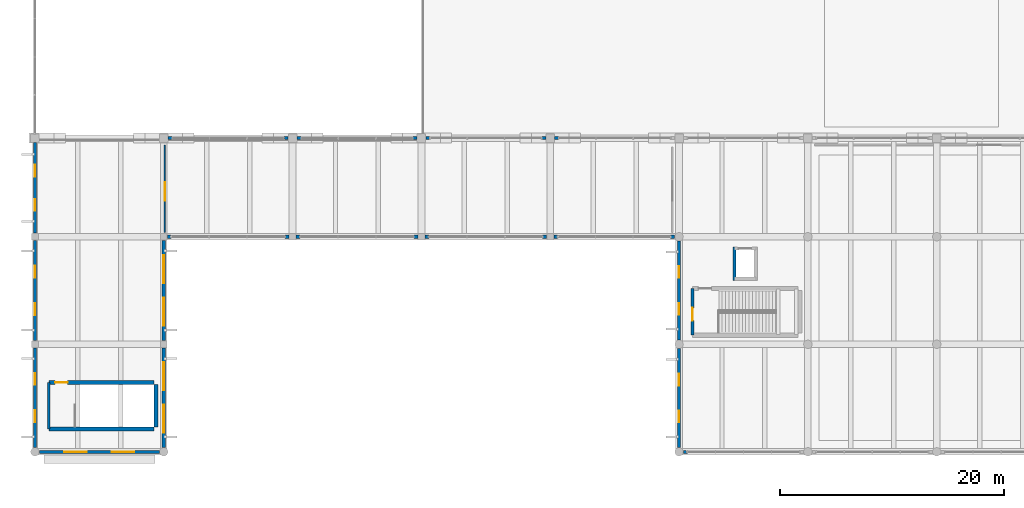
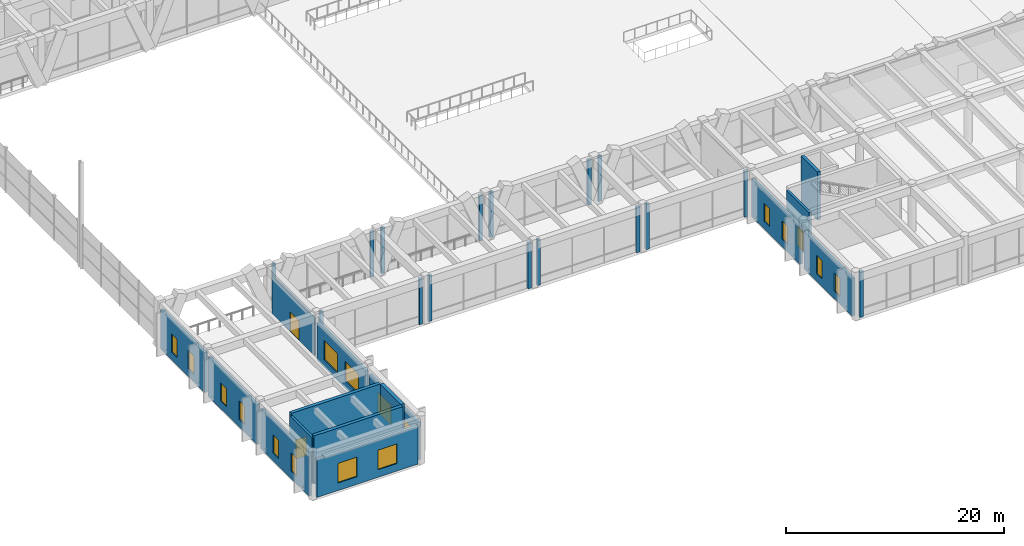
# One storey, part 124 of 148: 31 walls, 16 windows, 3 doors, 19 openings.
"""IFC4 building model written with IfcOpenShell, lengths in metres."""

from ifc_helpers import new_model, si_unit, direction, frame, frame_2d, origin, place, context, subcontext, project, spatial, rectangle, extrude, material, layer, layer_set, type_object, element, fill, save


model = new_model("IFC4")

# Units and contexts
model_context = context("Model", 3, precision=1e-05, world=origin(), true_north=direction((0.0, 1.0)))
body_context = subcontext(model_context, "Body", "Model", "MODEL_VIEW")
ifc_project = project(units=[si_unit("LENGTHUNIT", "METRE"), si_unit("AREAUNIT", "SQUARE_METRE"), si_unit("VOLUMEUNIT", "CUBIC_METRE"), si_unit("PLANEANGLEUNIT", "RADIAN"), si_unit("MASSUNIT", "GRAM", prefix="KILO")], contexts=[model_context])

# Site, building, storey
site_placement = place(None, origin())
site = spatial("IfcSite", under=ifc_project, at=site_placement, CompositionType="ELEMENT")
building_placement = place(site_placement, origin())
building = spatial("IfcBuilding", under=site, at=building_placement, Name="Ologun Quay Terminus", CompositionType="ELEMENT")
storey_placement = place(building_placement, frame((0.0, 0.0, 8.39990234375)))
storey = spatial("IfcBuildingStorey", under=building, at=storey_placement, Name="L02", CompositionType="ELEMENT", Elevation=8.39990234375)

# Wall, opening, door
ifc_material_1 = material(Name="Gypsum Acoustic Stud")
ifc_layer_1 = layer(ifc_material_1, 0.14990234375)
ifc_layer_set_1 = layer_set([ifc_layer_1], Name="Gypsum Acoustic Stud")
wall_type_1 = type_object("IfcWallType", Name="Community & Reading Room Partition 150", PredefinedType="PARTITIONING", material=ifc_layer_set_1)
wall_1_placement = place(storey_placement, frame((11.60009765625, 27.60009765625, 0.0), z_axis=(0.0, 0.0, 1.0), x_axis=(0.0, 1.0, 0.0)))
wall_1 = element("IfcWall", 1, at=wall_1_placement, inside=storey, type_object=wall_type_1, Name="PW-05 Partition L02-PrayerRoom-E", PredefinedType="PARTITIONING", context=body_context, shape_type="SweptSolid", body=[
    extrude(rectangle(XDim=7.7998046875, YDim=0.14990234375, at=frame_2d((3.89990234375, 0.0))), origin(), (0.0, 0.0, 1.0), 4.25),
])
opening_1_placement = place(wall_1_placement, frame((2.800048828125, 0.0, 0.0)))
opening_1 = element("IfcOpeningElement", 2, at=opening_1_placement, cuts=wall_1, Name="Opening ID-315", PredefinedType="OPENING", context=body_context, shape_type="SweptSolid", body=[
    extrude(rectangle(XDim=1.64990234375, YDim=2.199951171875, at=frame_2d((0.824951171875, 1.10009765625))), frame((0.0, 0.0849609375, 0.0), z_axis=(0.0, -1.0, 0.0), x_axis=(1.0, 0.0, 0.0)), (0.0, 0.0, 1.0), 0.169921875),
])
ifc_material_2 = material(Name="Timber Hardwood", Category="wood")
door_type_1 = type_object("IfcDoorType", Name="Community Meeting Double Door 1650x2200", OperationType="DOUBLE_DOOR_SINGLE_SWING", PredefinedType="DOOR", material=ifc_material_2)
door_1_placement = place(opening_1_placement, origin())
door_1 = element("IfcDoor", 3, at=door_1_placement, inside=storey, type_object=door_type_1, Name="ID-03 Door ID-315", OperationType="DOUBLE_DOOR_SINGLE_SWING", OverallHeight=2.199951171875, OverallWidth=1.64990234375, PredefinedType="DOOR", context=body_context, shape_type="SweptSolid", body=[
    extrude(rectangle(XDim=1.64990234375, YDim=2.199951171875, at=frame_2d((0.824951171875, 1.10009765625))), frame((0.0, 0.02490234375, 0.0), z_axis=(0.0, -1.0, 0.0), x_axis=(1.0, 0.0, 0.0)), (0.0, 0.0, 1.0), 0.050048828125),
])
fill(opening_1, door_1)

# Wall, openings, windows
ifc_material_3 = material(Name="Concrete C40/50", Category="concrete")
ifc_layer_2 = layer(ifc_material_3, 0.280029296875)
ifc_layer_set_2 = layer_set([ifc_layer_2], Name="Concrete C40/50")
wall_type_2 = type_object("IfcWallType", Name="Courtyard Wing Spandrel Concrete Wall 280", PredefinedType="SOLIDWALL", material=ifc_layer_set_2)
wall_2_placement = place(storey_placement, frame((0.39501953125, 8.0, 0.0), z_axis=(0.0, 0.0, 1.0), x_axis=(1.0, 0.0, 0.0)))
wall_2 = element("IfcWall", 4, at=wall_2_placement, inside=storey, type_object=wall_type_2, Name="EW-02 Facade Wall WEW-SA-L02-1-1", PredefinedType="SOLIDWALL", context=body_context, shape_type="SweptSolid", body=[
    extrude(rectangle(XDim=10.7099609375, YDim=0.280029296875, at=frame_2d((5.35498046875, 0.0))), origin(), (0.0, 0.0, 1.0), 4.25),
])
opening_2_placement = place(wall_2_placement, frame((2.23681640625, 0.0, 0.85009765625)))
opening_2 = element("IfcOpeningElement", 5, at=opening_2_placement, cuts=wall_2, Name="Opening WN-061", PredefinedType="OPENING", context=body_context, shape_type="SweptSolid", body=[
    extrude(rectangle(XDim=2.0, YDim=2.199951171875, at=frame_2d((1.0, 1.10009765625))), frame((0.0, 0.14990234375, 0.0), z_axis=(0.0, -1.0, 0.0), x_axis=(1.0, 0.0, 0.0)), (0.0, 0.0, 1.0), 0.300048828125),
])
opening_3_placement = place(wall_2_placement, frame((6.473388671875, 0.0, 0.85009765625)))
opening_3 = element("IfcOpeningElement", 6, at=opening_3_placement, cuts=wall_2, Name="Opening WN-062", PredefinedType="OPENING", context=body_context, shape_type="SweptSolid", body=[
    extrude(rectangle(XDim=2.0, YDim=2.199951171875, at=frame_2d((1.0, 1.10009765625))), frame((0.0, 0.14990234375, 0.0), z_axis=(0.0, -1.0, 0.0), x_axis=(1.0, 0.0, 0.0)), (0.0, 0.0, 1.0), 0.300048828125),
])
ifc_material_4 = material(Name="Glass", Category="glass")
window_type_1 = type_object("IfcWindowType", Name="VIP Lounge Harbour Window 2000x2200", PartitioningType="SINGLE_PANEL", PredefinedType="WINDOW", material=ifc_material_4)
window_1_placement = place(opening_2_placement, origin())
window_1 = element("IfcWindow", 7, at=window_1_placement, inside=storey, type_object=window_type_1, Name="W-08 Window WN-061", OverallHeight=2.199951171875, OverallWidth=2.0, PartitioningType="SINGLE_PANEL", PredefinedType="WINDOW", context=body_context, shape_type="SweptSolid", body=[
    extrude(rectangle(XDim=2.0, YDim=2.199951171875, at=frame_2d((1.0, 1.10009765625))), frame((0.0, 0.030029296875, 0.0), z_axis=(0.0, -1.0, 0.0), x_axis=(1.0, 0.0, 0.0)), (0.0, 0.0, 1.0), 0.06005859375),
])
fill(opening_2, window_1)
window_2_placement = place(opening_3_placement, origin())
window_2 = element("IfcWindow", 8, at=window_2_placement, inside=storey, type_object=window_type_1, Name="W-08 Window WN-062", OverallHeight=2.199951171875, OverallWidth=2.0, PartitioningType="SINGLE_PANEL", PredefinedType="WINDOW", context=body_context, shape_type="SweptSolid", body=[
    extrude(rectangle(XDim=2.0, YDim=2.199951171875, at=frame_2d((1.0, 1.10009765625))), frame((0.0, 0.030029296875, 0.0), z_axis=(0.0, -1.0, 0.0), x_axis=(1.0, 0.0, 0.0)), (0.0, 0.0, 1.0), 0.06005859375),
])
fill(opening_3, window_2)

wall_3_placement = place(storey_placement, frame((11.5, 8.39501953125, 0.0), z_axis=(0.0, 0.0, 1.0), x_axis=(0.0, 1.0, 0.0)))
wall_3 = element("IfcWall", 9, at=wall_3_placement, inside=storey, type_object=wall_type_2, Name="EW-02 Facade Wall WEW-SA-L02-1-2", PredefinedType="SOLIDWALL", context=body_context, shape_type="SweptSolid", body=[
    extrude(rectangle(XDim=8.885009765625, YDim=0.280029296875, at=frame_2d((4.4423828125, 0.0))), origin(), (0.0, 0.0, 1.0), 4.25),
])
opening_4_placement = place(wall_3_placement, frame((1.294921875, 0.0, 0.85009765625)))
opening_4 = element("IfcOpeningElement", 10, at=opening_4_placement, cuts=wall_3, Name="Opening WN-063", PredefinedType="OPENING", context=body_context, shape_type="SweptSolid", body=[
    extrude(rectangle(XDim=2.5, YDim=2.199951171875, at=frame_2d((1.25, 1.10009765625))), frame((0.0, 0.14990234375, 0.0), z_axis=(0.0, -1.0, 0.0), x_axis=(1.0, 0.0, 0.0)), (0.0, 0.0, 1.0), 0.300048828125),
])
opening_5_placement = place(wall_3_placement, frame((5.090087890625, 0.0, 0.85009765625)))
opening_5 = element("IfcOpeningElement", 11, at=opening_5_placement, cuts=wall_3, Name="Opening WN-064", PredefinedType="OPENING", context=body_context, shape_type="SweptSolid", body=[
    extrude(rectangle(XDim=2.5, YDim=2.199951171875, at=frame_2d((1.25, 1.10009765625))), frame((0.0, 0.14990234375, 0.0), z_axis=(0.0, -1.0, 0.0), x_axis=(1.0, 0.0, 0.0)), (0.0, 0.0, 1.0), 0.300048828125),
])
ifc_material_5 = material(Name="Glass", Category="glass")
window_type_2 = type_object("IfcWindowType", Name="Concourse Waiting Window 2500x2200", PartitioningType="SINGLE_PANEL", PredefinedType="WINDOW", material=ifc_material_5)
window_3_placement = place(opening_4_placement, origin())
window_3 = element("IfcWindow", 12, at=window_3_placement, inside=storey, type_object=window_type_2, Name="W-07 Window WN-063", OverallHeight=2.199951171875, OverallWidth=2.5, PartitioningType="SINGLE_PANEL", PredefinedType="WINDOW", context=body_context, shape_type="SweptSolid", body=[
    extrude(rectangle(XDim=2.5, YDim=2.199951171875, at=frame_2d((1.25, 1.10009765625))), frame((0.0, 0.030029296875, 0.0), z_axis=(0.0, -1.0, 0.0), x_axis=(1.0, 0.0, 0.0)), (0.0, 0.0, 1.0), 0.06005859375),
])
fill(opening_4, window_3)
window_4_placement = place(opening_5_placement, origin())
window_4 = element("IfcWindow", 13, at=window_4_placement, inside=storey, type_object=window_type_2, Name="W-07 Window WN-064", OverallHeight=2.199951171875, OverallWidth=2.5, PartitioningType="SINGLE_PANEL", PredefinedType="WINDOW", context=body_context, shape_type="SweptSolid", body=[
    extrude(rectangle(XDim=2.5, YDim=2.199951171875, at=frame_2d((1.25, 1.10009765625))), frame((0.0, 0.030029296875, 0.0), z_axis=(0.0, -1.0, 0.0), x_axis=(1.0, 0.0, 0.0)), (0.0, 0.0, 1.0), 0.06005859375),
])
fill(opening_5, window_4)

wall_4_placement = place(storey_placement, frame((11.5, 17.919921875, 0.0), z_axis=(0.0, 0.0, 1.0), x_axis=(0.0, 1.0, 0.0)))
wall_4 = element("IfcWall", 14, at=wall_4_placement, inside=storey, type_object=wall_type_2, Name="EW-02 Facade Wall WEW-SA-L02-1-3", PredefinedType="SOLIDWALL", context=body_context, shape_type="SweptSolid", body=[
    extrude(rectangle(XDim=8.9599609375, YDim=0.280029296875, at=frame_2d((4.47998046875, 0.0))), origin(), (0.0, 0.0, 1.0), 4.25),
])
opening_6_placement = place(wall_4_placement, frame((1.320068359375, 0.0, 0.85009765625)))
opening_6 = element("IfcOpeningElement", 15, at=opening_6_placement, cuts=wall_4, Name="Opening WN-065", PredefinedType="OPENING", context=body_context, shape_type="SweptSolid", body=[
    extrude(rectangle(XDim=2.5, YDim=2.199951171875, at=frame_2d((1.25, 1.10009765625))), frame((0.0, 0.14990234375, 0.0), z_axis=(0.0, -1.0, 0.0), x_axis=(1.0, 0.0, 0.0)), (0.0, 0.0, 1.0), 0.300048828125),
])
opening_7_placement = place(wall_4_placement, frame((5.139892578125, 0.0, 0.85009765625)))
opening_7 = element("IfcOpeningElement", 16, at=opening_7_placement, cuts=wall_4, Name="Opening WN-066", PredefinedType="OPENING", context=body_context, shape_type="SweptSolid", body=[
    extrude(rectangle(XDim=2.5, YDim=2.199951171875, at=frame_2d((1.25, 1.10009765625))), frame((0.0, 0.14990234375, 0.0), z_axis=(0.0, -1.0, 0.0), x_axis=(1.0, 0.0, 0.0)), (0.0, 0.0, 1.0), 0.300048828125),
])
window_5_placement = place(opening_6_placement, origin())
window_5 = element("IfcWindow", 17, at=window_5_placement, inside=storey, type_object=window_type_2, Name="W-07 Window WN-065", OverallHeight=2.199951171875, OverallWidth=2.5, PartitioningType="SINGLE_PANEL", PredefinedType="WINDOW", context=body_context, shape_type="SweptSolid", body=[
    extrude(rectangle(XDim=2.5, YDim=2.199951171875, at=frame_2d((1.25, 1.10009765625))), frame((0.0, 0.030029296875, 0.0), z_axis=(0.0, -1.0, 0.0), x_axis=(1.0, 0.0, 0.0)), (0.0, 0.0, 1.0), 0.06005859375),
])
fill(opening_6, window_5)
window_6_placement = place(opening_7_placement, origin())
window_6 = element("IfcWindow", 18, at=window_6_placement, inside=storey, type_object=window_type_2, Name="W-07 Window WN-066", OverallHeight=2.199951171875, OverallWidth=2.5, PartitioningType="SINGLE_PANEL", PredefinedType="WINDOW", context=body_context, shape_type="SweptSolid", body=[
    extrude(rectangle(XDim=2.5, YDim=2.199951171875, at=frame_2d((1.25, 1.10009765625))), frame((0.0, 0.030029296875, 0.0), z_axis=(0.0, -1.0, 0.0), x_axis=(1.0, 0.0, 0.0)), (0.0, 0.0, 1.0), 0.06005859375),
])
fill(opening_7, window_6)

# Walls
for number, where, z_axis, x_axis, name in (
    (19, (11.820068359375, 27.199951171875, 0.0), (0.0, 0.0, 1.0), (1.0, 0.0, 0.0), "Curtain Wall Jamb Pier CW-L02-020-J1"),
    (20, (22.330078125, 27.199951171875, 0.0), (0.0, 0.0, 1.0), (1.0, 0.0, 0.0), "Curtain Wall Jamb Pier CW-L02-020-J2"),
    (21, (23.320068359375, 27.199951171875, 0.0), (0.0, 0.0, 1.0), (1.0, 0.0, 0.0), "Curtain Wall Jamb Pier CW-L02-021-J1"),
    (22, (33.830078125, 27.199951171875, 0.0), (0.0, 0.0, 1.0), (1.0, 0.0, 0.0), "Curtain Wall Jamb Pier CW-L02-021-J2"),
    (23, (34.820068359375, 27.199951171875, 0.0), (0.0, 0.0, 1.0), (1.0, 0.0, 0.0), "Curtain Wall Jamb Pier CW-L02-022-J1"),
    (24, (45.330078125, 27.199951171875, 0.0), (0.0, 0.0, 1.0), (1.0, 0.0, 0.0), "Curtain Wall Jamb Pier CW-L02-022-J2"),
    (25, (46.320068359375, 27.199951171875, 0.0), (0.0, 0.0, 1.0), (1.0, 0.0, 0.0), "Curtain Wall Jamb Pier CW-L02-023-J1"),
):
    element("IfcWall", number, at=place(storey_placement, frame(where, z_axis=z_axis, x_axis=x_axis)), inside=storey, type_object=wall_type_2, Name=name, PredefinedType="SOLIDWALL", context=body_context, shape_type="SweptSolid", body=[
        extrude(rectangle(XDim=0.349853515625, YDim=0.280029296875, at=frame_2d((0.1748046875, 0.0))), origin(), (0.0, 0.0, 1.0), 5.14013671875),
    ])
wall_5_placement = place(storey_placement, frame((56.7548828125, 27.199951171875, 0.0), z_axis=(0.0, 0.0, 1.0), x_axis=(1.0, 0.0, 0.0)))
element("IfcWall", 26, at=wall_5_placement, inside=storey, type_object=wall_type_2, Name="Curtain Wall Jamb Pier CW-L02-023-J2", PredefinedType="SOLIDWALL", context=body_context, shape_type="SweptSolid", body=[
    extrude(rectangle(XDim=0.35009765625, YDim=0.280029296875, at=frame_2d((0.175048828125, 0.0))), origin(), (0.0, 0.0, 1.0), 5.14013671875),
])

# Wall, openings, windows
wall_6_placement = place(storey_placement, frame((0.0, 8.39501953125, 0.0), z_axis=(0.0, 0.0, 1.0), x_axis=(0.0, 1.0, 0.0)))
wall_6 = element("IfcWall", 27, at=wall_6_placement, inside=storey, type_object=wall_type_2, Name="EW-02 Facade Wall WEW-SA-L02-1-14", PredefinedType="SOLIDWALL", context=body_context, shape_type="SweptSolid", body=[
    extrude(rectangle(XDim=8.885009765625, YDim=0.280029296875, at=frame_2d((4.4423828125, 0.0))), origin(), (0.0, 0.0, 1.0), 4.4501953125),
])
opening_8_placement = place(wall_6_placement, frame((2.26171875, 0.0, 0.85009765625)))
opening_8 = element("IfcOpeningElement", 28, at=opening_8_placement, cuts=wall_6, Name="Opening WN-067", PredefinedType="OPENING", context=body_context, shape_type="SweptSolid", body=[
    extrude(rectangle(XDim=1.050048828125, YDim=2.050048828125, at=frame_2d((0.52490234375, 1.02490234375))), frame((0.0, 0.14990234375, 0.0), z_axis=(0.0, -1.0, 0.0), x_axis=(1.0, 0.0, 0.0)), (0.0, 0.0, 1.0), 0.300048828125),
])
opening_9_placement = place(wall_6_placement, frame((5.5732421875, 0.0, 0.85009765625)))
opening_9 = element("IfcOpeningElement", 29, at=opening_9_placement, cuts=wall_6, Name="Opening WN-068", PredefinedType="OPENING", context=body_context, shape_type="SweptSolid", body=[
    extrude(rectangle(XDim=1.050048828125, YDim=2.050048828125, at=frame_2d((0.52490234375, 1.02490234375))), frame((0.0, 0.14990234375, 0.0), z_axis=(0.0, -1.0, 0.0), x_axis=(1.0, 0.0, 0.0)), (0.0, 0.0, 1.0), 0.300048828125),
])
ifc_material_6 = material(Name="Glass", Category="glass")
window_type_3 = type_object("IfcWindowType", Name="Prayer Room Stained-Glass Slot Window 1050x2050", PartitioningType="SINGLE_PANEL", PredefinedType="WINDOW", material=ifc_material_6)
window_7_placement = place(opening_8_placement, origin())
window_7 = element("IfcWindow", 30, at=window_7_placement, inside=storey, type_object=window_type_3, Name="W-32 Window WN-067", OverallHeight=2.050048828125, OverallWidth=1.050048828125, PartitioningType="SINGLE_PANEL", PredefinedType="WINDOW", context=body_context, shape_type="SweptSolid", body=[
    extrude(rectangle(XDim=1.050048828125, YDim=2.050048828125, at=frame_2d((0.52490234375, 1.02490234375))), frame((0.0, 0.030029296875, 0.0), z_axis=(0.0, -1.0, 0.0), x_axis=(1.0, 0.0, 0.0)), (0.0, 0.0, 1.0), 0.06005859375),
])
fill(opening_8, window_7)
window_8_placement = place(opening_9_placement, origin())
window_8 = element("IfcWindow", 31, at=window_8_placement, inside=storey, type_object=window_type_3, Name="W-32 Window WN-068", OverallHeight=2.050048828125, OverallWidth=1.050048828125, PartitioningType="SINGLE_PANEL", PredefinedType="WINDOW", context=body_context, shape_type="SweptSolid", body=[
    extrude(rectangle(XDim=1.050048828125, YDim=2.050048828125, at=frame_2d((0.52490234375, 1.02490234375))), frame((0.0, 0.030029296875, 0.0), z_axis=(0.0, -1.0, 0.0), x_axis=(1.0, 0.0, 0.0)), (0.0, 0.0, 1.0), 0.06005859375),
])
fill(opening_9, window_8)

wall_7_placement = place(storey_placement, frame((0.0, 17.919921875, 0.0), z_axis=(0.0, 0.0, 1.0), x_axis=(0.0, 1.0, 0.0)))
wall_7 = element("IfcWall", 32, at=wall_7_placement, inside=storey, type_object=wall_type_2, Name="EW-02 Facade Wall WEW-SA-L02-1-15", PredefinedType="SOLIDWALL", context=body_context, shape_type="SweptSolid", body=[
    extrude(rectangle(XDim=8.9599609375, YDim=0.280029296875, at=frame_2d((4.47998046875, 0.0))), origin(), (0.0, 0.0, 1.0), 4.4501953125),
])
opening_10_placement = place(wall_7_placement, frame((2.28662109375, 0.0, 0.85009765625)))
opening_10 = element("IfcOpeningElement", 33, at=opening_10_placement, cuts=wall_7, Name="Opening WN-069", PredefinedType="OPENING", context=body_context, shape_type="SweptSolid", body=[
    extrude(rectangle(XDim=1.050048828125, YDim=2.050048828125, at=frame_2d((0.52490234375, 1.02490234375))), frame((0.0, 0.14990234375, 0.0), z_axis=(0.0, -1.0, 0.0), x_axis=(1.0, 0.0, 0.0)), (0.0, 0.0, 1.0), 0.300048828125),
])
opening_11_placement = place(wall_7_placement, frame((5.623291015625, 0.0, 0.85009765625)))
opening_11 = element("IfcOpeningElement", 34, at=opening_11_placement, cuts=wall_7, Name="Opening WN-070", PredefinedType="OPENING", context=body_context, shape_type="SweptSolid", body=[
    extrude(rectangle(XDim=1.050048828125, YDim=2.050048828125, at=frame_2d((0.52490234375, 1.02490234375))), frame((0.0, 0.14990234375, 0.0), z_axis=(0.0, -1.0, 0.0), x_axis=(1.0, 0.0, 0.0)), (0.0, 0.0, 1.0), 0.300048828125),
])
window_9_placement = place(opening_10_placement, origin())
window_9 = element("IfcWindow", 35, at=window_9_placement, inside=storey, type_object=window_type_3, Name="W-32 Window WN-069", OverallHeight=2.050048828125, OverallWidth=1.050048828125, PartitioningType="SINGLE_PANEL", PredefinedType="WINDOW", context=body_context, shape_type="SweptSolid", body=[
    extrude(rectangle(XDim=1.050048828125, YDim=2.050048828125, at=frame_2d((0.52490234375, 1.02490234375))), frame((0.0, 0.030029296875, 0.0), z_axis=(0.0, -1.0, 0.0), x_axis=(1.0, 0.0, 0.0)), (0.0, 0.0, 1.0), 0.06005859375),
])
fill(opening_10, window_9)
window_10_placement = place(opening_11_placement, origin())
window_10 = element("IfcWindow", 36, at=window_10_placement, inside=storey, type_object=window_type_3, Name="W-32 Window WN-070", OverallHeight=2.050048828125, OverallWidth=1.050048828125, PartitioningType="SINGLE_PANEL", PredefinedType="WINDOW", context=body_context, shape_type="SweptSolid", body=[
    extrude(rectangle(XDim=1.050048828125, YDim=2.050048828125, at=frame_2d((0.52490234375, 1.02490234375))), frame((0.0, 0.030029296875, 0.0), z_axis=(0.0, -1.0, 0.0), x_axis=(1.0, 0.0, 0.0)), (0.0, 0.0, 1.0), 0.06005859375),
])
fill(opening_11, window_10)

wall_8_placement = place(storey_placement, frame((0.0, 27.52001953125, 0.0), z_axis=(0.0, 0.0, 1.0), x_axis=(0.0, 1.0, 0.0)))
wall_8 = element("IfcWall", 37, at=wall_8_placement, inside=storey, type_object=wall_type_2, Name="EW-02 Facade Wall WEW-SA-L02-1-16", PredefinedType="SOLIDWALL", context=body_context, shape_type="SweptSolid", body=[
    extrude(rectangle(XDim=8.0849609375, YDim=0.280029296875, at=frame_2d((4.04248046875, 0.0))), origin(), (0.0, 0.0, 1.0), 4.4501953125),
])
opening_12_placement = place(wall_8_placement, frame((1.9951171875, 0.0, 0.85009765625)))
opening_12 = element("IfcOpeningElement", 38, at=opening_12_placement, cuts=wall_8, Name="Opening WN-071", PredefinedType="OPENING", context=body_context, shape_type="SweptSolid", body=[
    extrude(rectangle(XDim=1.050048828125, YDim=2.050048828125, at=frame_2d((0.52490234375, 1.02490234375))), frame((0.0, 0.14990234375, 0.0), z_axis=(0.0, -1.0, 0.0), x_axis=(1.0, 0.0, 0.0)), (0.0, 0.0, 1.0), 0.300048828125),
])
opening_13_placement = place(wall_8_placement, frame((5.0400390625, 0.0, 0.85009765625)))
opening_13 = element("IfcOpeningElement", 39, at=opening_13_placement, cuts=wall_8, Name="Opening WN-072", PredefinedType="OPENING", context=body_context, shape_type="SweptSolid", body=[
    extrude(rectangle(XDim=1.050048828125, YDim=2.050048828125, at=frame_2d((0.52490234375, 1.02490234375))), frame((0.0, 0.14990234375, 0.0), z_axis=(0.0, -1.0, 0.0), x_axis=(1.0, 0.0, 0.0)), (0.0, 0.0, 1.0), 0.300048828125),
])
window_11_placement = place(opening_12_placement, origin())
window_11 = element("IfcWindow", 40, at=window_11_placement, inside=storey, type_object=window_type_3, Name="W-32 Window WN-071", OverallHeight=2.050048828125, OverallWidth=1.050048828125, PartitioningType="SINGLE_PANEL", PredefinedType="WINDOW", context=body_context, shape_type="SweptSolid", body=[
    extrude(rectangle(XDim=1.050048828125, YDim=2.050048828125, at=frame_2d((0.52490234375, 1.02490234375))), frame((0.0, 0.030029296875, 0.0), z_axis=(0.0, -1.0, 0.0), x_axis=(1.0, 0.0, 0.0)), (0.0, 0.0, 1.0), 0.06005859375),
])
fill(opening_12, window_11)
window_12_placement = place(opening_13_placement, origin())
window_12 = element("IfcWindow", 41, at=window_12_placement, inside=storey, type_object=window_type_3, Name="W-32 Window WN-072", OverallHeight=2.050048828125, OverallWidth=1.050048828125, PartitioningType="SINGLE_PANEL", PredefinedType="WINDOW", context=body_context, shape_type="SweptSolid", body=[
    extrude(rectangle(XDim=1.050048828125, YDim=2.050048828125, at=frame_2d((0.52490234375, 1.02490234375))), frame((0.0, 0.030029296875, 0.0), z_axis=(0.0, -1.0, 0.0), x_axis=(1.0, 0.0, 0.0)), (0.0, 0.0, 1.0), 0.06005859375),
])
fill(opening_13, window_12)

# Wall
wall_9_placement = place(storey_placement, frame((57.89501953125, 8.0, 0.0), z_axis=(0.0, 0.0, 1.0), x_axis=(1.0, 0.0, 0.0)))
element("IfcWall", 42, at=wall_9_placement, inside=storey, type_object=wall_type_2, Name="Curtain Wall Jamb Pier CW-L02-024-J1", PredefinedType="SOLIDWALL", context=body_context, shape_type="SweptSolid", body=[
    extrude(rectangle(XDim=0.35009765625, YDim=0.280029296875, at=frame_2d((0.175048828125, 0.0))), origin(), (0.0, 0.0, 1.0), 5.14013671875),
])

# Wall, openings, windows
wall_10_placement = place(storey_placement, frame((57.5, 8.39501953125, 0.0), z_axis=(0.0, 0.0, 1.0), x_axis=(0.0, 1.0, 0.0)))
wall_10 = element("IfcWall", 43, at=wall_10_placement, inside=storey, type_object=wall_type_2, Name="EW-02 Facade Wall WEW-SA-L02-2-16", PredefinedType="SOLIDWALL", context=body_context, shape_type="SweptSolid", body=[
    extrude(rectangle(XDim=8.81005859375, YDim=0.280029296875, at=frame_2d((4.405029296875, 0.0))), origin(), (0.0, 0.0, 1.0), 4.25),
])
opening_14_placement = place(wall_10_placement, frame((2.23681640625, 0.0, 0.85009765625)))
opening_14 = element("IfcOpeningElement", 44, at=opening_14_placement, cuts=wall_10, Name="Opening WN-077", PredefinedType="OPENING", context=body_context, shape_type="SweptSolid", body=[
    extrude(rectangle(XDim=1.050048828125, YDim=2.050048828125, at=frame_2d((0.52490234375, 1.02490234375))), frame((0.0, 0.14990234375, 0.0), z_axis=(0.0, -1.0, 0.0), x_axis=(1.0, 0.0, 0.0)), (0.0, 0.0, 1.0), 0.300048828125),
])
opening_15_placement = place(wall_10_placement, frame((5.523193359375, 0.0, 0.85009765625)))
opening_15 = element("IfcOpeningElement", 45, at=opening_15_placement, cuts=wall_10, Name="Opening WN-078", PredefinedType="OPENING", context=body_context, shape_type="SweptSolid", body=[
    extrude(rectangle(XDim=1.050048828125, YDim=2.050048828125, at=frame_2d((0.52490234375, 1.02490234375))), frame((0.0, 0.14990234375, 0.0), z_axis=(0.0, -1.0, 0.0), x_axis=(1.0, 0.0, 0.0)), (0.0, 0.0, 1.0), 0.300048828125),
])
window_13_placement = place(opening_14_placement, origin())
window_13 = element("IfcWindow", 46, at=window_13_placement, inside=storey, type_object=window_type_3, Name="W-32 Window WN-077", OverallHeight=2.050048828125, OverallWidth=1.050048828125, PartitioningType="SINGLE_PANEL", PredefinedType="WINDOW", context=body_context, shape_type="SweptSolid", body=[
    extrude(rectangle(XDim=1.050048828125, YDim=2.050048828125, at=frame_2d((0.52490234375, 1.02490234375))), frame((0.0, 0.030029296875, 0.0), z_axis=(0.0, -1.0, 0.0), x_axis=(1.0, 0.0, 0.0)), (0.0, 0.0, 1.0), 0.06005859375),
])
fill(opening_14, window_13)
window_14_placement = place(opening_15_placement, origin())
window_14 = element("IfcWindow", 47, at=window_14_placement, inside=storey, type_object=window_type_3, Name="W-32 Window WN-078", OverallHeight=2.050048828125, OverallWidth=1.050048828125, PartitioningType="SINGLE_PANEL", PredefinedType="WINDOW", context=body_context, shape_type="SweptSolid", body=[
    extrude(rectangle(XDim=1.050048828125, YDim=2.050048828125, at=frame_2d((0.52490234375, 1.02490234375))), frame((0.0, 0.030029296875, 0.0), z_axis=(0.0, -1.0, 0.0), x_axis=(1.0, 0.0, 0.0)), (0.0, 0.0, 1.0), 0.06005859375),
])
fill(opening_15, window_14)

wall_11_placement = place(storey_placement, frame((57.5, 17.9951171875, 0.0), z_axis=(0.0, 0.0, 1.0), x_axis=(0.0, 1.0, 0.0)))
wall_11 = element("IfcWall", 48, at=wall_11_placement, inside=storey, type_object=wall_type_2, Name="EW-02 Facade Wall WEW-SA-L02-2-17", PredefinedType="SOLIDWALL", context=body_context, shape_type="SweptSolid", body=[
    extrude(rectangle(XDim=8.809814453125, YDim=0.280029296875, at=frame_2d((4.40478515625, 0.0))), origin(), (0.0, 0.0, 1.0), 4.25),
])
opening_16_placement = place(wall_11_placement, frame((2.23681640625, 0.0, 0.85009765625)))
opening_16 = element("IfcOpeningElement", 49, at=opening_16_placement, cuts=wall_11, Name="Opening WN-079", PredefinedType="OPENING", context=body_context, shape_type="SweptSolid", body=[
    extrude(rectangle(XDim=1.050048828125, YDim=2.050048828125, at=frame_2d((0.52490234375, 1.02490234375))), frame((0.0, 0.14990234375, 0.0), z_axis=(0.0, -1.0, 0.0), x_axis=(1.0, 0.0, 0.0)), (0.0, 0.0, 1.0), 0.300048828125),
])
opening_17_placement = place(wall_11_placement, frame((5.523193359375, 0.0, 0.85009765625)))
opening_17 = element("IfcOpeningElement", 50, at=opening_17_placement, cuts=wall_11, Name="Opening WN-080", PredefinedType="OPENING", context=body_context, shape_type="SweptSolid", body=[
    extrude(rectangle(XDim=1.050048828125, YDim=2.050048828125, at=frame_2d((0.52490234375, 1.02490234375))), frame((0.0, 0.14990234375, 0.0), z_axis=(0.0, -1.0, 0.0), x_axis=(1.0, 0.0, 0.0)), (0.0, 0.0, 1.0), 0.300048828125),
])
window_15_placement = place(opening_16_placement, origin())
window_15 = element("IfcWindow", 51, at=window_15_placement, inside=storey, type_object=window_type_3, Name="W-32 Window WN-079", OverallHeight=2.050048828125, OverallWidth=1.050048828125, PartitioningType="SINGLE_PANEL", PredefinedType="WINDOW", context=body_context, shape_type="SweptSolid", body=[
    extrude(rectangle(XDim=1.050048828125, YDim=2.050048828125, at=frame_2d((0.52490234375, 1.02490234375))), frame((0.0, 0.030029296875, 0.0), z_axis=(0.0, -1.0, 0.0), x_axis=(1.0, 0.0, 0.0)), (0.0, 0.0, 1.0), 0.06005859375),
])
fill(opening_16, window_15)
window_16_placement = place(opening_17_placement, origin())
window_16 = element("IfcWindow", 52, at=window_16_placement, inside=storey, type_object=window_type_3, Name="W-32 Window WN-080", OverallHeight=2.050048828125, OverallWidth=1.050048828125, PartitioningType="SINGLE_PANEL", PredefinedType="WINDOW", context=body_context, shape_type="SweptSolid", body=[
    extrude(rectangle(XDim=1.050048828125, YDim=2.050048828125, at=frame_2d((0.52490234375, 1.02490234375))), frame((0.0, 0.030029296875, 0.0), z_axis=(0.0, -1.0, 0.0), x_axis=(1.0, 0.0, 0.0)), (0.0, 0.0, 1.0), 0.06005859375),
])
fill(opening_17, window_16)

# Wall
ifc_material_7 = material(Name="Concrete C40/50", Category="concrete")
ifc_layer_3 = layer(ifc_material_7, 0.239990234375)
ifc_layer_set_3 = layer_set([ifc_layer_3], Name="Concrete C40/50")
wall_type_3 = type_object("IfcWallType", Name="Fire Compartment Blockwork Wall 240", PredefinedType="SOLIDWALL", material=ifc_layer_set_3)
wall_12_placement = place(storey_placement, frame((1.25, 10.02001953125, 0.0), z_axis=(0.0, 0.0, 1.0), x_axis=(0.0, 1.0, 0.0)))
element("IfcWall", 53, at=wall_12_placement, inside=storey, type_object=wall_type_3, Name="PW-01 Partition ST-S1-W", PredefinedType="SOLIDWALL", context=body_context, shape_type="SweptSolid", body=[
    extrude(rectangle(XDim=4.159912109375, YDim=0.239990234375, at=frame_2d((2.080078125, 0.0))), origin(), (0.0, 0.0, 1.0), 5.1201171875),
])

# Wall, opening, door
wall_13_placement = place(storey_placement, frame((58.699951171875, 18.419921875, 0.0), z_axis=(0.0, 0.0, 1.0), x_axis=(0.0, 1.0, 0.0)))
wall_13 = element("IfcWall", 54, at=wall_13_placement, inside=storey, type_object=wall_type_3, Name="PW-01 Partition ST-S3-W", PredefinedType="SOLIDWALL", context=body_context, shape_type="SweptSolid", body=[
    extrude(rectangle(XDim=4.16015625, YDim=0.239990234375, at=frame_2d((2.080078125, 0.0))), origin(), (0.0, 0.0, 1.0), 5.1201171875),
])
opening_18_placement = place(wall_13_placement, frame((1.300048828125, 0.0, 0.0)))
opening_18 = element("IfcOpeningElement", 55, at=opening_18_placement, cuts=wall_13, Name="Opening ID-257", PredefinedType="OPENING", context=body_context, shape_type="SweptSolid", body=[
    extrude(rectangle(XDim=1.1298828125, YDim=2.14990234375, at=frame_2d((0.56494140625, 1.074951171875))), frame((0.0, 0.1298828125, 0.0), z_axis=(0.0, -1.0, 0.0), x_axis=(1.0, 0.0, 0.0)), (0.0, 0.0, 1.0), 0.260009765625),
])
ifc_material_8 = material(Name="Steel S355", Category="steel")
door_type_2 = type_object("IfcDoorType", Name="Stairwell Fire Escape Door 1130x2150", OperationType="SINGLE_SWING_LEFT", PredefinedType="DOOR", material=ifc_material_8)
door_2_placement = place(opening_18_placement, frame((0.56494140625, 0.0, 0.0), z_axis=(0.0, 0.0, 1.0), x_axis=(-1.0, 0.0, 0.0)))
door_2 = element("IfcDoor", 56, at=door_2_placement, inside=storey, type_object=door_type_2, Name="FD-01 Door ID-257", OperationType="SINGLE_SWING_LEFT", OverallHeight=2.14990234375, OverallWidth=1.1298828125, PredefinedType="DOOR", context=body_context, shape_type="SweptSolid", body=[
    extrude(rectangle(XDim=1.1298828125, YDim=2.14990234375, at=frame_2d((0.0, 1.074951171875))), frame((0.0, 0.02490234375, 0.0), z_axis=(0.0, -1.0, 0.0), x_axis=(1.0, 0.0, 0.0)), (0.0, 0.0, 1.0), 0.050048828125),
])
fill(opening_18, door_2)

# Walls
ifc_material_9 = material(Name="Concrete C40/50", Category="concrete")
ifc_layer_4 = layer(ifc_material_9, 0.300048828125)
ifc_layer_set_4 = layer_set([ifc_layer_4], Name="Concrete C40/50")
wall_type_4 = type_object("IfcWallType", Name="Lift Shaft Structural Shear Wall 300", PredefinedType="SHEAR", material=ifc_layer_set_4)
wall_14_placement = place(storey_placement, frame((62.449951171875, 23.300048828125, 0.0), z_axis=(0.0, 0.0, 1.0), x_axis=(0.0, 1.0, 0.0)))
element("IfcWall", 57, at=wall_14_placement, inside=storey, type_object=wall_type_4, Name="Lift PL-S1 Shaft Wall W L02", PredefinedType="SHEAR", context=body_context, shape_type="SweptSolid", body=[
    extrude(rectangle(XDim=3.0, YDim=0.300048828125, at=frame_2d((1.5, 0.0))), origin(), (0.0, 0.0, 1.0), 5.400146484375),
])
ifc_material_10 = material(Name="Concrete C40/50", Category="concrete")
ifc_layer_5 = layer(ifc_material_10, 0.35009765625)
ifc_layer_set_5 = layer_set([ifc_layer_5], Name="Concrete C40/50")
wall_type_5 = type_object("IfcWallType", Name="Station Core Shear Wall 350", PredefinedType="SHEAR", material=ifc_layer_set_5)
wall_15_placement = place(storey_placement, frame((1.25, 10.02490234375, 0.0), z_axis=(0.0, 0.0, 1.0), x_axis=(1.0, 0.0, 0.0)))
element("IfcWall", 58, at=wall_15_placement, inside=storey, type_object=wall_type_5, Name="Station Core 1 S Shear Wall L02", PredefinedType="SHEAR", context=body_context, shape_type="SweptSolid", body=[
    extrude(rectangle(XDim=9.39990234375, YDim=0.35009765625, at=frame_2d((4.699951171875, 0.0))), origin(), (0.0, 0.0, 1.0), 5.400146484375),
])

# Wall, opening, door
wall_16_placement = place(storey_placement, frame((1.25, 14.175048828125, 0.0), z_axis=(0.0, 0.0, 1.0), x_axis=(1.0, 0.0, 0.0)))
wall_16 = element("IfcWall", 59, at=wall_16_placement, inside=storey, type_object=wall_type_5, Name="Station Core 1 N Shear Wall L02", PredefinedType="SHEAR", context=body_context, shape_type="SweptSolid", body=[
    extrude(rectangle(XDim=9.39990234375, YDim=0.35009765625, at=frame_2d((4.699951171875, 0.0))), origin(), (0.0, 0.0, 1.0), 5.400146484375),
])
opening_19_placement = place(wall_16_placement, frame((0.550048828125, 0.0, 0.0)))
opening_19 = element("IfcOpeningElement", 60, at=opening_19_placement, cuts=wall_16, Name="Opening ID-236", PredefinedType="OPENING", context=body_context, shape_type="SweptSolid", body=[
    extrude(rectangle(XDim=1.1298828125, YDim=2.14990234375, at=frame_2d((0.56494140625, 1.074951171875))), frame((0.0, 0.18505859375, 0.0), z_axis=(0.0, -1.0, 0.0), x_axis=(1.0, 0.0, 0.0)), (0.0, 0.0, 1.0), 0.3701171875),
])
door_3_placement = place(opening_19_placement, frame((0.56494140625, 0.0, 0.0), z_axis=(0.0, 0.0, 1.0), x_axis=(-1.0, 0.0, 0.0)))
door_3 = element("IfcDoor", 61, at=door_3_placement, inside=storey, type_object=door_type_2, Name="FD-01 Door ID-236", OperationType="SINGLE_SWING_LEFT", OverallHeight=2.14990234375, OverallWidth=1.1298828125, PredefinedType="DOOR", context=body_context, shape_type="SweptSolid", body=[
    extrude(rectangle(XDim=1.1298828125, YDim=2.14990234375, at=frame_2d((0.0, 1.074951171875))), frame((0.0, 0.02490234375, 0.0), z_axis=(0.0, -1.0, 0.0), x_axis=(1.0, 0.0, 0.0)), (0.0, 0.0, 1.0), 0.050048828125),
])
fill(opening_19, door_3)

# Walls
wall_17_placement = place(storey_placement, frame((10.824951171875, 10.199951171875, 0.0), z_axis=(0.0, 0.0, 1.0), x_axis=(0.0, 1.0, 0.0)))
element("IfcWall", 62, at=wall_17_placement, inside=storey, type_object=wall_type_5, Name="Station Core 1 E Shear Wall L02", PredefinedType="SHEAR", context=body_context, shape_type="SweptSolid", body=[
    extrude(rectangle(XDim=3.800048828125, YDim=0.35009765625, at=frame_2d((1.89990234375, 0.0))), origin(), (0.0, 0.0, 1.0), 5.400146484375),
])
ifc_material_11 = material(Name="Concrete C40/50", Category="concrete")
ifc_layer_6 = layer(ifc_material_11, 0.260009765625)
ifc_layer_set_6 = layer_set([ifc_layer_6], Name="Concrete C40/50")
wall_type_6 = type_object("IfcWallType", Name="Train Shed Clerestory Upstand Wall 260", PredefinedType="SOLIDWALL", material=ifc_layer_set_6)
for number, where, z_axis, x_axis, name in (
    (63, (11.89501953125, 36.0, 0.0), (0.0, 0.0, 1.0), (1.0, 0.0, 0.0), "Curtain Wall Jamb Pier CW-L02-046-J1"),
    (64, (22.2548828125, 36.0, 0.0), (0.0, 0.0, 1.0), (1.0, 0.0, 0.0), "Curtain Wall Jamb Pier CW-L02-046-J2"),
    (65, (23.39501953125, 36.0, 0.0), (0.0, 0.0, 1.0), (1.0, 0.0, 0.0), "Curtain Wall Jamb Pier CW-L02-048-J1"),
    (66, (33.7548828125, 36.0, 0.0), (0.0, 0.0, 1.0), (1.0, 0.0, 0.0), "Curtain Wall Jamb Pier CW-L02-048-J2"),
    (67, (34.89501953125, 36.0, 0.0), (0.0, 0.0, 1.0), (1.0, 0.0, 0.0), "Curtain Wall Jamb Pier CW-L02-050-J1"),
    (68, (45.2548828125, 36.0, 0.0), (0.0, 0.0, 1.0), (1.0, 0.0, 0.0), "Curtain Wall Jamb Pier CW-L02-050-J2"),
    (69, (46.39501953125, 36.0, 0.0), (0.0, 0.0, 1.0), (1.0, 0.0, 0.0), "Curtain Wall Jamb Pier CW-L02-052-J1"),
):
    element("IfcWall", number, at=place(storey_placement, frame(where, z_axis=z_axis, x_axis=x_axis)), inside=storey, type_object=wall_type_6, Name=name, PredefinedType="SOLIDWALL", context=body_context, shape_type="SweptSolid", body=[
        extrude(rectangle(XDim=0.35009765625, YDim=0.260009765625, at=frame_2d((0.175048828125, 0.0))), origin(), (0.0, 0.0, 1.0), 5.10009765625),
    ])

save(model, "model.ifc")
